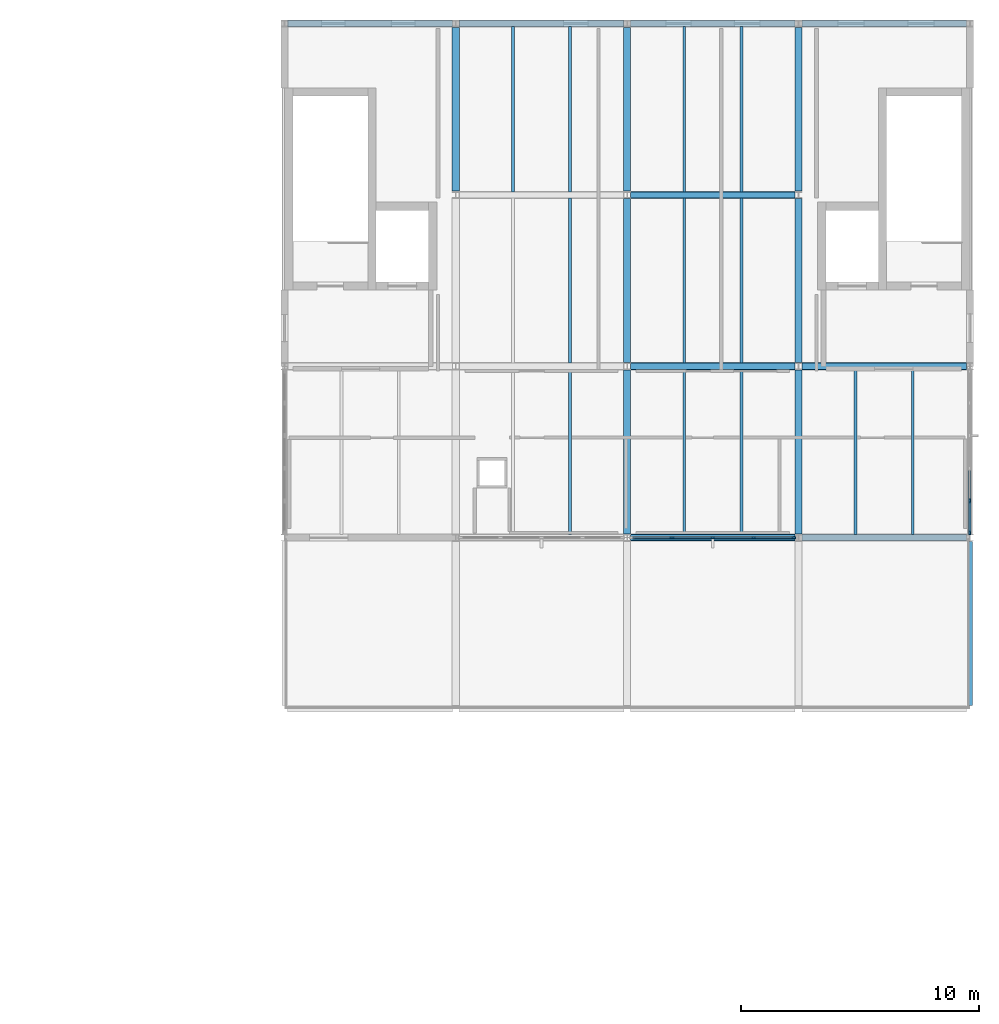
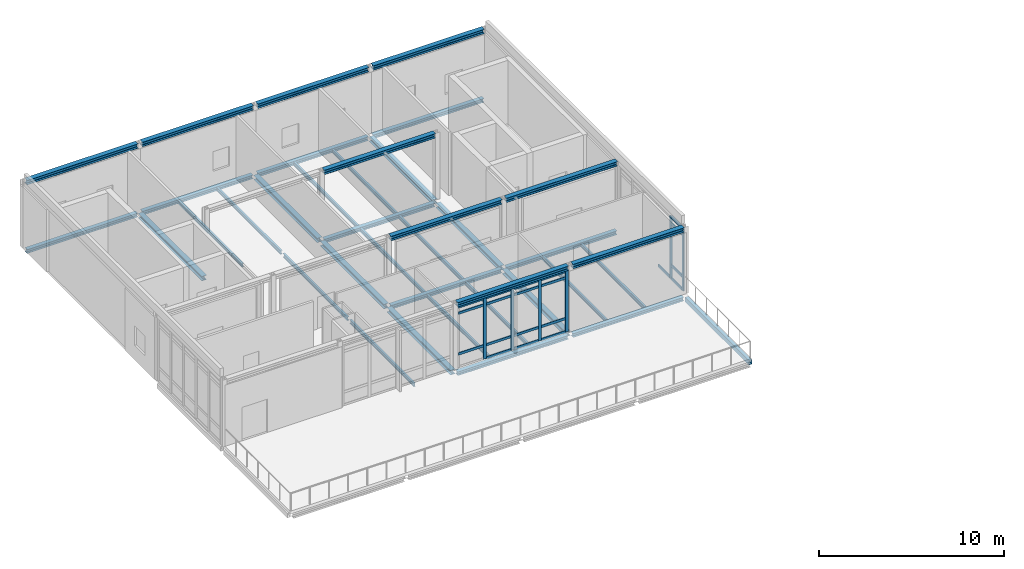
# One storey, part 9 of 21: 38 beams, 26 members, 2 elements without a shape of their own.
"""IFC4 building model written with IfcOpenShell, lengths in metres."""

import ifcopenshell
import ifcopenshell.guid

model = None  # the IFC model being written
_history = None  # IfcOwnerHistory: only IFC2X3 demands one
_inside = {}  # id of a spatial element -> (the spatial element, [elements in it])
_under = {}  # id of a project, library or spatial element -> (it, [spatial elements below it])
_declared = {}  # id of a project -> (the project, [libraries it declares])
_typed = {}  # id of a type object -> (the type object, [elements of that type])
_made_of = {}  # id of a material, layer set ... -> (it, [elements and type objects made of it])


def new_model(schema):
    """Start an empty IFC model of exactly this schema.

    Asked for "IFC4X3", IfcOpenShell would pick the latest addendum, in which some entities
    have other attributes; the version numbers below select the first issue.
    IFC2X3 requires an IfcOwnerHistory on every rooted entity: one is made here for all.
    """
    global model, _history
    if schema == "IFC4X3":
        model = ifcopenshell.file(schema_version=(4, 3, 0, 0))
    else:
        model = ifcopenshell.file(schema=schema)
    _inside.clear()
    _under.clear()
    _declared.clear()
    _typed.clear()
    _made_of.clear()
    _history = None
    if model.schema == "IFC2X3":
        org = make("IfcOrganization", Name="unknown")
        user = make(
            "IfcPersonAndOrganization",
            ThePerson=make("IfcPerson", FamilyName="unknown"),
            TheOrganization=org,
        )
        app = make(
            "IfcApplication",
            ApplicationDeveloper=org,
            Version="unknown",
            ApplicationFullName="unknown",
            ApplicationIdentifier="unknown",
        )
        _history = make(
            "IfcOwnerHistory",
            OwningUser=user,
            OwningApplication=app,
            ChangeAction="ADDED",
            CreationDate=0,
        )
    return model


def make(cls, **values):
    """One entity of the class cls with the attributes given. An attribute that is None is left unset."""
    return model.create_entity(
        cls, **{name: value for name, value in values.items() if value is not None}
    )


def rooted(cls, **values):
    """An entity with a GlobalId (a new one), such as an element, a storey or a relation."""
    return make(cls, GlobalId=ifcopenshell.guid.new(), OwnerHistory=_history, **values)


def si_unit(unit_type, name, prefix=None):
    """IfcSIUnit, for example si_unit("LENGTHUNIT", "METRE", prefix="MILLI")."""
    return make("IfcSIUnit", UnitType=unit_type, Prefix=prefix, Name=name)


def assignment(units):
    """IfcUnitAssignment: the units of a project."""
    return None if units is None else make("IfcUnitAssignment", Units=units)


def point(xyz):
    """IfcCartesianPoint."""
    return None if xyz is None else make("IfcCartesianPoint", Coordinates=xyz)


def direction(xyz):
    """IfcDirection."""
    return None if xyz is None else make("IfcDirection", DirectionRatios=xyz)


def frame(location, z_axis=None, x_axis=None):
    """IfcAxis2Placement3D, a coordinate frame: its origin and axes. An axis left out is left unset."""
    return make(
        "IfcAxis2Placement3D",
        Location=point(location),
        Axis=direction(z_axis),
        RefDirection=direction(x_axis),
    )


def frame_2d(location, x_axis=None):
    """IfcAxis2Placement2D, a coordinate frame in the plane: its origin and x axis."""
    return make(
        "IfcAxis2Placement2D", Location=point(location), RefDirection=direction(x_axis)
    )


def origin():
    """The frame at (0, 0, 0) with its axes left unset."""
    return frame((0.0, 0.0, 0.0))


def origin_2d():
    """The frame at (0, 0) in the plane with its x axis left unset."""
    return frame_2d((0.0, 0.0))


def place(relative_to, where):
    """IfcLocalPlacement: puts the frame where relative to a parent placement (None: the world)."""
    return make(
        "IfcLocalPlacement", PlacementRelTo=relative_to, RelativePlacement=where
    )


def context(
    kind, dimensions, precision=None, world=None, true_north=None, identifier=None
):
    """IfcGeometricRepresentationContext, for example the 3D "Model" context."""
    return make(
        "IfcGeometricRepresentationContext",
        ContextIdentifier=identifier,
        ContextType=kind,
        CoordinateSpaceDimension=dimensions,
        Precision=precision,
        WorldCoordinateSystem=world,
        TrueNorth=true_north,
    )


def subcontext(parent, identifier, kind, view, scale=None):
    """IfcGeometricRepresentationSubContext, for example "Body" below "Model"."""
    return make(
        "IfcGeometricRepresentationSubContext",
        ContextIdentifier=identifier,
        ContextType=kind,
        ParentContext=parent,
        TargetScale=scale,
        TargetView=view,
    )


def project(units=None, contexts=None):
    """IfcProject with its units and contexts."""
    return rooted(
        "IfcProject",
        Name="project",
        RepresentationContexts=contexts,
        UnitsInContext=assignment(units),
    )


def spatial(cls, under=None, at=None, **own):
    """A site, building, storey or space (cls), placed at a placement, below another one or the project."""
    s = rooted(cls, ObjectPlacement=at, **own)
    if under is not None:
        _under.setdefault(under.id(), (under, []))[1].append(s)
    return s


def profile(cls, at=None, kind="AREA", **sizes):
    """A parametric profile (cls). Its sizes go by their IFC names, for example OverallWidth=200.0."""
    return make(cls, ProfileType=kind, Position=at, **sizes)


def rectangle(**sizes):
    """IfcRectangleProfileDef."""
    return profile("IfcRectangleProfileDef", **sizes)


def hollow_rectangle(**sizes):
    """IfcRectangleHollowProfileDef."""
    return profile("IfcRectangleHollowProfileDef", **sizes)


def i_section(**sizes):
    """IfcIShapeProfileDef."""
    return profile("IfcIShapeProfileDef", **sizes)


def extrude(swept, where, along, depth):
    """IfcExtrudedAreaSolid: the profile swept, set in the frame where, extruded along a direction by depth."""
    return make(
        "IfcExtrudedAreaSolid",
        SweptArea=swept,
        Position=where,
        ExtrudedDirection=direction(along),
        Depth=depth,
    )


def shape(context_of_items, identifier, shape_type, items):
    """IfcShapeRepresentation: the items that make up one representation, for example the "Body"."""
    return make(
        "IfcShapeRepresentation",
        ContextOfItems=context_of_items,
        RepresentationIdentifier=identifier,
        RepresentationType=shape_type,
        Items=items,
    )


def material(Name=None, Category=None):
    """IfcMaterial."""
    return make("IfcMaterial", Name=Name, Category=Category)


def layer(
    of_material, thickness, ventilated=None, Name=None, Category=None, Priority=None
):
    """IfcMaterialLayer: one layer of a wall or slab, of a material (None: an air gap)."""
    return make(
        "IfcMaterialLayer",
        Material=of_material,
        LayerThickness=thickness,
        IsVentilated=ventilated,
        Name=Name,
        Category=Category,
        Priority=Priority,
    )


def layer_set(layers, Name=None):
    """IfcMaterialLayerSet."""
    return make("IfcMaterialLayerSet", MaterialLayers=layers, LayerSetName=Name)


def material_profile(
    of_material, cross_section, Name=None, Category=None, Priority=None
):
    """IfcMaterialProfile: a cross section and its material."""
    return make(
        "IfcMaterialProfile",
        Name=Name,
        Material=of_material,
        Profile=cross_section,
        Priority=Priority,
        Category=Category,
    )


def profile_set(profiles, Name=None, composite=None):
    """IfcMaterialProfileSet."""
    return make(
        "IfcMaterialProfileSet",
        Name=Name,
        MaterialProfiles=profiles,
        CompositeProfile=composite,
    )


def made_of(thing, what):
    """Note that an element or type object is made of a material, layer set ...; save() writes the relation."""
    if what is not None:
        _made_of.setdefault(what.id(), (what, []))[1].append(thing)
    return thing


def type_object(cls, material=None, **own):
    """A type object (cls), such as IfcWallType, which elements share."""
    return made_of(rooted(cls, **own), material)


def element(
    cls,
    number,
    at=None,
    inside=None,
    cuts=None,
    type_object=None,
    material=None,
    context=None,
    identifier="Body",
    shape_type=None,
    held_by="IfcProductDefinitionShape",
    body=None,
    shapes=None,
    **own,
):
    """One element of the class cls, such as IfcWall. Its Tag is "e" and its number.

    at: its placement. inside: the storey or other place that contains it. cuts: it is an
    opening in that element (IfcRelVoidsElement). A single representation is given by context,
    identifier, shape_type and body (its items); several are given by shapes. held_by: the class
    of the entity that holds the representations. save() writes the other relations.
    """
    e = rooted(cls, Tag="e%d" % number, ObjectPlacement=at, **own)
    if body is not None:
        shapes = [shape(context, identifier, shape_type, body)]
    if shapes is not None:
        e.Representation = make(held_by, Representations=shapes)
    if inside is not None:
        _inside.setdefault(inside.id(), (inside, []))[1].append(e)
    if cuts is not None:
        rooted(
            "IfcRelVoidsElement", RelatingBuildingElement=cuts, RelatedOpeningElement=e
        )
    if type_object is not None:
        _typed.setdefault(type_object.id(), (type_object, []))[1].append(e)
    return made_of(e, material)


def aggregate(whole, parts):
    """IfcRelAggregates: a whole, such as a stair, and the parts it consists of."""
    return rooted("IfcRelAggregates", RelatingObject=whole, RelatedObjects=parts)


def save(model, path):
    """Write the relations noted so far, then the file.

    IfcRelAggregates (storeys below a building ...), IfcRelContainedInSpatialStructure (elements
    in a storey), IfcRelDefinesByType, IfcRelAssociatesMaterial and IfcRelDeclares: one each for
    every whole, place, type object, material and project.
    """
    for whole, parts in _under.values():
        aggregate(whole, parts)
    for where, things in _inside.values():
        rooted(
            "IfcRelContainedInSpatialStructure",
            RelatedElements=things,
            RelatingStructure=where,
        )
    for kind, things in _typed.values():
        rooted("IfcRelDefinesByType", RelatedObjects=things, RelatingType=kind)
    for what, things in _made_of.values():
        rooted("IfcRelAssociatesMaterial", RelatedObjects=things, RelatingMaterial=what)
    for by, libraries in _declared.values():
        rooted("IfcRelDeclares", RelatingContext=by, RelatedDefinitions=libraries)
    model.write(path)


model = new_model("IFC4")

# Units and contexts
model_context = context("Model", 3, precision=1e-05, world=origin(), true_north=direction((0.0, 1.0)))
body_context = subcontext(model_context, "Body", "Model", "MODEL_VIEW")
ifc_project = project(units=[si_unit("LENGTHUNIT", "METRE"), si_unit("AREAUNIT", "SQUARE_METRE"), si_unit("VOLUMEUNIT", "CUBIC_METRE"), si_unit("PLANEANGLEUNIT", "RADIAN"), si_unit("MASSUNIT", "GRAM", prefix="KILO")], contexts=[model_context])

# Site, building, storey
site_placement = place(None, origin())
site = spatial("IfcSite", under=ifc_project, at=site_placement, CompositionType="ELEMENT")
building_placement = place(site_placement, origin())
building = spatial("IfcBuilding", under=site, at=building_placement, Name="Zarrinpeak Specialist Clinic", CompositionType="ELEMENT")
storey_placement = place(building_placement, frame((0.0, 0.0, 22.800048828125)))
storey = spatial("IfcBuildingStorey", under=building, at=storey_placement, Name="L05", CompositionType="ELEMENT", Elevation=22.800048828125)

# Beams
ifc_material_1 = material(Name="Steel S355", Category="steel")
ifc_material_profile_1 = material_profile(ifc_material_1, i_section(OverallWidth=0.260009765625, OverallDepth=0.25, WebThickness=0.007568359375, FlangeThickness=0.012451171875, FilletRadius=0.02392578125, at=origin_2d()), Name="HEA 260")
ifc_profile_set_1 = profile_set([ifc_material_profile_1], Name="Steel S355")
beam_type_1 = type_object("IfcBeamType", Name="BM-HEA260", PredefinedType="BEAM", material=ifc_profile_set_1)
beam_1_placement = place(storey_placement, frame((50.548095703125, 96.39990234375, -0.320068359375), z_axis=(1.0, 0.0, 0.0), x_axis=(0.0, 1.0, 0.0)))
element("IfcBeam", 1, at=beam_1_placement, inside=storey, type_object=beam_type_1, Name="L05 Primary Floor Girder BM-L05-X2071", PredefinedType="BEAM", context=body_context, shape_type="SweptSolid", body=[
    extrude(i_section(OverallWidth=0.260009765625, OverallDepth=0.25, WebThickness=0.007568359375, FlangeThickness=0.012451171875, FilletRadius=0.02392578125, at=origin_2d()), origin(), (0.0, 0.0, 1.0), 6.90380859375),
])
beam_2_placement = place(storey_placement, frame((57.748046875, 96.39990234375, -0.320068359375), z_axis=(1.0, 0.0, 0.0), x_axis=(0.0, 1.0, 0.0)))
element("IfcBeam", 2, at=beam_2_placement, inside=storey, type_object=beam_type_1, Name="L05 Primary Floor Girder BM-L05-X2072", PredefinedType="BEAM", context=body_context, shape_type="SweptSolid", body=[
    extrude(i_section(OverallWidth=0.260009765625, OverallDepth=0.25, WebThickness=0.007568359375, FlangeThickness=0.012451171875, FilletRadius=0.02392578125, at=origin_2d()), origin(), (0.0, 0.0, 1.0), 6.904052734375),
])
beam_3_placement = place(storey_placement, frame((50.548095703125, 103.60009765625, -0.31005859375), z_axis=(1.0, 0.0, 0.0), x_axis=(0.0, 1.0, 0.0)))
element("IfcBeam", 3, at=beam_3_placement, inside=storey, type_object=beam_type_1, Name="L05 Primary Floor Girder BM-L05-X2075", PredefinedType="BEAM", context=body_context, shape_type="SweptSolid", body=[
    extrude(i_section(OverallWidth=0.260009765625, OverallDepth=0.25, WebThickness=0.007568359375, FlangeThickness=0.012451171875, FilletRadius=0.02392578125, at=origin_2d()), origin(), (0.0, 0.0, 1.0), 6.90380859375),
])
beam_4_placement = place(storey_placement, frame((57.748046875, 103.60009765625, -0.31005859375), z_axis=(1.0, 0.0, 0.0), x_axis=(0.0, 1.0, 0.0)))
element("IfcBeam", 4, at=beam_4_placement, inside=storey, type_object=beam_type_1, Name="L05 Primary Floor Girder BM-L05-X2076", PredefinedType="BEAM", context=body_context, shape_type="SweptSolid", body=[
    extrude(i_section(OverallWidth=0.260009765625, OverallDepth=0.25, WebThickness=0.007568359375, FlangeThickness=0.012451171875, FilletRadius=0.02392578125, at=origin_2d()), origin(), (0.0, 0.0, 1.0), 6.904052734375),
])
beam_5_placement = place(storey_placement, frame((50.548095703125, 110.800048828125, -0.31005859375), z_axis=(1.0, 0.0, 0.0), x_axis=(0.0, 1.0, 0.0)))
element("IfcBeam", 5, at=beam_5_placement, inside=storey, type_object=beam_type_1, Name="L05 Primary Floor Girder BM-L05-X2078", PredefinedType="BEAM", context=body_context, shape_type="SweptSolid", body=[
    extrude(i_section(OverallWidth=0.260009765625, OverallDepth=0.25, WebThickness=0.007568359375, FlangeThickness=0.012451171875, FilletRadius=0.02392578125, at=origin_2d()), origin(), (0.0, 0.0, 1.0), 6.90380859375),
])
for number, where, z_axis, x_axis, name in (
    (6, (36.14794921875, 118.0, -0.31005859375), (1.0, 0.0, 0.0), (0.0, 1.0, 0.0), "L05 Primary Floor Girder BM-L05-X2079"),
    (7, (43.347900390625, 118.0, -0.31005859375), (1.0, 0.0, 0.0), (0.0, 1.0, 0.0), "L05 Primary Floor Girder BM-L05-X2080"),
):
    element("IfcBeam", number, at=place(storey_placement, frame(where, z_axis=z_axis, x_axis=x_axis)), inside=storey, type_object=beam_type_1, Name=name, PredefinedType="BEAM", context=body_context, shape_type="SweptSolid", body=[
        extrude(i_section(OverallWidth=0.260009765625, OverallDepth=0.25, WebThickness=0.007568359375, FlangeThickness=0.012451171875, FilletRadius=0.02392578125, at=origin_2d()), origin(), (0.0, 0.0, 1.0), 6.904052734375),
    ])
beam_6_placement = place(storey_placement, frame((50.548095703125, 118.0, -0.31005859375), z_axis=(1.0, 0.0, 0.0), x_axis=(0.0, 1.0, 0.0)))
element("IfcBeam", 8, at=beam_6_placement, inside=storey, type_object=beam_type_1, Name="L05 Primary Floor Girder BM-L05-X2081", PredefinedType="BEAM", context=body_context, shape_type="SweptSolid", body=[
    extrude(i_section(OverallWidth=0.260009765625, OverallDepth=0.25, WebThickness=0.007568359375, FlangeThickness=0.012451171875, FilletRadius=0.02392578125, at=origin_2d()), origin(), (0.0, 0.0, 1.0), 6.90380859375),
])
beam_7_placement = place(storey_placement, frame((57.748046875, 118.0, -0.31005859375), z_axis=(1.0, 0.0, 0.0), x_axis=(0.0, 1.0, 0.0)))
element("IfcBeam", 9, at=beam_7_placement, inside=storey, type_object=beam_type_1, Name="L05 Primary Floor Girder BM-L05-X2082", PredefinedType="BEAM", context=body_context, shape_type="SweptSolid", body=[
    extrude(i_section(OverallWidth=0.260009765625, OverallDepth=0.25, WebThickness=0.007568359375, FlangeThickness=0.012451171875, FilletRadius=0.02392578125, at=origin_2d()), origin(), (0.0, 0.0, 1.0), 6.904052734375),
])
ifc_material_profile_2 = material_profile(ifc_material_1, i_section(OverallWidth=0.300048828125, OverallDepth=0.2900390625, WebThickness=0.008544921875, FlangeThickness=0.013916015625, FilletRadius=0.027099609375, at=origin_2d()), Name="HEA 300")
ifc_profile_set_2 = profile_set([ifc_material_profile_2], Name="Steel S355")
beam_type_2 = type_object("IfcBeamType", Name="BM-HEA300", PredefinedType="BEAM", material=ifc_profile_set_2)
beam_8_placement = place(storey_placement, frame((43.199951171875, 110.9580078125, -0.330078125), z_axis=(0.0, 1.0, 0.0), x_axis=(-1.0, 0.0, 0.0)))
element("IfcBeam", 10, at=beam_8_placement, inside=storey, type_object=beam_type_2, Name="L05 Primary Beam BM-L05-Y2117", PredefinedType="BEAM", context=body_context, shape_type="SweptSolid", body=[
    extrude(i_section(OverallWidth=0.300048828125, OverallDepth=0.2900390625, WebThickness=0.008544921875, FlangeThickness=0.013916015625, FilletRadius=0.027099609375, at=origin_2d()), origin(), (0.0, 0.0, 1.0), 6.884033203125),
])
beam_9_placement = place(storey_placement, frame((50.39990234375, 96.55810546875, -0.330078125), z_axis=(0.0, 1.0, 0.0), x_axis=(-1.0, 0.0, 0.0)))
element("IfcBeam", 11, at=beam_9_placement, inside=storey, type_object=beam_type_2, Name="L05 Primary Beam BM-L05-Y2119", PredefinedType="BEAM", context=body_context, shape_type="SweptSolid", body=[
    extrude(i_section(OverallWidth=0.300048828125, OverallDepth=0.2900390625, WebThickness=0.008544921875, FlangeThickness=0.013916015625, FilletRadius=0.027099609375, at=origin_2d()), origin(), (0.0, 0.0, 1.0), 6.8837890625),
])
for number, where, z_axis, x_axis, name in (
    (12, (50.39990234375, 103.758056640625, -0.330078125), (0.0, 1.0, 0.0), (-1.0, 0.0, 0.0), "L05 Primary Beam BM-L05-Y2120"),
    (13, (50.39990234375, 110.9580078125, -0.330078125), (0.0, 1.0, 0.0), (-1.0, 0.0, 0.0), "L05 Primary Beam BM-L05-Y2121"),
):
    element("IfcBeam", number, at=place(storey_placement, frame(where, z_axis=z_axis, x_axis=x_axis)), inside=storey, type_object=beam_type_2, Name=name, PredefinedType="BEAM", context=body_context, shape_type="SweptSolid", body=[
        extrude(i_section(OverallWidth=0.300048828125, OverallDepth=0.2900390625, WebThickness=0.008544921875, FlangeThickness=0.013916015625, FilletRadius=0.027099609375, at=origin_2d()), origin(), (0.0, 0.0, 1.0), 6.884033203125),
    ])
beam_10_placement = place(storey_placement, frame((57.60009765625, 96.55810546875, -0.330078125), z_axis=(0.0, 1.0, 0.0), x_axis=(-1.0, 0.0, 0.0)))
element("IfcBeam", 14, at=beam_10_placement, inside=storey, type_object=beam_type_2, Name="L05 Primary Beam BM-L05-Y2123", PredefinedType="BEAM", context=body_context, shape_type="SweptSolid", body=[
    extrude(i_section(OverallWidth=0.300048828125, OverallDepth=0.2900390625, WebThickness=0.008544921875, FlangeThickness=0.013916015625, FilletRadius=0.027099609375, at=origin_2d()), origin(), (0.0, 0.0, 1.0), 6.8837890625),
])
for number, where, z_axis, x_axis, name in (
    (15, (57.60009765625, 103.758056640625, -0.330078125), (0.0, 1.0, 0.0), (-1.0, 0.0, 0.0), "L05 Primary Beam BM-L05-Y2124"),
    (16, (57.60009765625, 110.9580078125, -0.330078125), (0.0, 1.0, 0.0), (-1.0, 0.0, 0.0), "L05 Primary Beam BM-L05-Y2125"),
):
    element("IfcBeam", number, at=place(storey_placement, frame(where, z_axis=z_axis, x_axis=x_axis)), inside=storey, type_object=beam_type_2, Name=name, PredefinedType="BEAM", context=body_context, shape_type="SweptSolid", body=[
        extrude(i_section(OverallWidth=0.300048828125, OverallDepth=0.2900390625, WebThickness=0.008544921875, FlangeThickness=0.013916015625, FilletRadius=0.027099609375, at=origin_2d()), origin(), (0.0, 0.0, 1.0), 6.884033203125),
    ])
beam_11_placement = place(storey_placement, frame((50.5380859375, 96.39990234375, 4.25), z_axis=(1.0, 0.0, 0.0), x_axis=(0.0, 1.0, 0.0)))
element("IfcBeam", 17, at=beam_11_placement, inside=storey, type_object=beam_type_2, Name="L05 Gable Eave Tie Girder V6 BM-RF-EAVE-2487", PredefinedType="BEAM", context=body_context, shape_type="SweptSolid", body=[
    extrude(i_section(OverallWidth=0.300048828125, OverallDepth=0.2900390625, WebThickness=0.008544921875, FlangeThickness=0.013916015625, FilletRadius=0.027099609375, at=origin_2d()), origin(), (0.0, 0.0, 1.0), 6.923828125),
])
beam_12_placement = place(storey_placement, frame((57.738037109375, 96.39990234375, 4.25), z_axis=(1.0, 0.0, 0.0), x_axis=(0.0, 1.0, 0.0)))
element("IfcBeam", 18, at=beam_12_placement, inside=storey, type_object=beam_type_2, Name="L05 Gable Eave Tie Girder V6 BM-RF-EAVE-2488", PredefinedType="BEAM", context=body_context, shape_type="SweptSolid", body=[
    extrude(i_section(OverallWidth=0.300048828125, OverallDepth=0.2900390625, WebThickness=0.008544921875, FlangeThickness=0.013916015625, FilletRadius=0.027099609375, at=origin_2d()), origin(), (0.0, 0.0, 1.0), 6.924072265625),
])
beam_13_placement = place(storey_placement, frame((50.5380859375, 103.60009765625, 4.25), z_axis=(1.0, 0.0, 0.0), x_axis=(0.0, 1.0, 0.0)))
element("IfcBeam", 19, at=beam_13_placement, inside=storey, type_object=beam_type_2, Name="L05 Gable Eave Tie Girder V6 BM-RF-EAVE-2491", PredefinedType="BEAM", context=body_context, shape_type="SweptSolid", body=[
    extrude(i_section(OverallWidth=0.300048828125, OverallDepth=0.2900390625, WebThickness=0.008544921875, FlangeThickness=0.013916015625, FilletRadius=0.027099609375, at=origin_2d()), origin(), (0.0, 0.0, 1.0), 6.923828125),
])
beam_14_placement = place(storey_placement, frame((57.738037109375, 103.60009765625, 4.25), z_axis=(1.0, 0.0, 0.0), x_axis=(0.0, 1.0, 0.0)))
element("IfcBeam", 20, at=beam_14_placement, inside=storey, type_object=beam_type_2, Name="L05 Gable Eave Tie Girder V6 BM-RF-EAVE-2492", PredefinedType="BEAM", context=body_context, shape_type="SweptSolid", body=[
    extrude(i_section(OverallWidth=0.300048828125, OverallDepth=0.2900390625, WebThickness=0.008544921875, FlangeThickness=0.013916015625, FilletRadius=0.027099609375, at=origin_2d()), origin(), (0.0, 0.0, 1.0), 6.924072265625),
])
beam_15_placement = place(storey_placement, frame((50.5380859375, 110.800048828125, 4.25), z_axis=(1.0, 0.0, 0.0), x_axis=(0.0, 1.0, 0.0)))
element("IfcBeam", 21, at=beam_15_placement, inside=storey, type_object=beam_type_2, Name="L05 Gable Eave Tie Girder V6 BM-RF-EAVE-2494", PredefinedType="BEAM", context=body_context, shape_type="SweptSolid", body=[
    extrude(i_section(OverallWidth=0.300048828125, OverallDepth=0.2900390625, WebThickness=0.008544921875, FlangeThickness=0.013916015625, FilletRadius=0.027099609375, at=origin_2d()), origin(), (0.0, 0.0, 1.0), 6.923828125),
])
for number, where, z_axis, x_axis, name in (
    (22, (36.137939453125, 118.0, 4.25), (1.0, 0.0, 0.0), (0.0, 1.0, 0.0), "L05 Gable Eave Tie Girder V6 BM-RF-EAVE-2495"),
    (23, (43.337890625, 118.0, 4.25), (1.0, 0.0, 0.0), (0.0, 1.0, 0.0), "L05 Gable Eave Tie Girder V6 BM-RF-EAVE-2496"),
):
    element("IfcBeam", number, at=place(storey_placement, frame(where, z_axis=z_axis, x_axis=x_axis)), inside=storey, type_object=beam_type_2, Name=name, PredefinedType="BEAM", context=body_context, shape_type="SweptSolid", body=[
        extrude(i_section(OverallWidth=0.300048828125, OverallDepth=0.2900390625, WebThickness=0.008544921875, FlangeThickness=0.013916015625, FilletRadius=0.027099609375, at=origin_2d()), origin(), (0.0, 0.0, 1.0), 6.924072265625),
    ])
beam_16_placement = place(storey_placement, frame((50.5380859375, 118.0, 4.25), z_axis=(1.0, 0.0, 0.0), x_axis=(0.0, 1.0, 0.0)))
element("IfcBeam", 24, at=beam_16_placement, inside=storey, type_object=beam_type_2, Name="L05 Gable Eave Tie Girder V6 BM-RF-EAVE-2497", PredefinedType="BEAM", context=body_context, shape_type="SweptSolid", body=[
    extrude(i_section(OverallWidth=0.300048828125, OverallDepth=0.2900390625, WebThickness=0.008544921875, FlangeThickness=0.013916015625, FilletRadius=0.027099609375, at=origin_2d()), origin(), (0.0, 0.0, 1.0), 6.923828125),
])
beam_17_placement = place(storey_placement, frame((57.738037109375, 118.0, 4.25), z_axis=(1.0, 0.0, 0.0), x_axis=(0.0, 1.0, 0.0)))
element("IfcBeam", 25, at=beam_17_placement, inside=storey, type_object=beam_type_2, Name="L05 Gable Eave Tie Girder V6 BM-RF-EAVE-2498", PredefinedType="BEAM", context=body_context, shape_type="SweptSolid", body=[
    extrude(i_section(OverallWidth=0.300048828125, OverallDepth=0.2900390625, WebThickness=0.008544921875, FlangeThickness=0.013916015625, FilletRadius=0.027099609375, at=origin_2d()), origin(), (0.0, 0.0, 1.0), 6.924072265625),
])
ifc_material_profile_3 = material_profile(ifc_material_1, i_section(OverallWidth=0.1201171875, OverallDepth=0.239990234375, WebThickness=0.006103515625, FlangeThickness=0.009765625, FilletRadius=0.014892578125, at=origin_2d()), Name="IPE 240")
ifc_profile_set_3 = profile_set([ifc_material_profile_3], Name="Steel S355")
beam_type_3 = type_object("IfcBeamType", Name="BM-JST240", PredefinedType="JOIST", material=ifc_profile_set_3)
beam_18_placement = place(storey_placement, frame((48.0, 96.528076171875, -0.304931640625), z_axis=(0.0, 1.0, 0.0), x_axis=(-1.0, 0.0, 0.0)))
element("IfcBeam", 26, at=beam_18_placement, inside=storey, type_object=beam_type_3, Name="L05 Composite Floor Joist JST-L05-2167", PredefinedType="JOIST", context=body_context, shape_type="SweptSolid", body=[
    extrude(i_section(OverallWidth=0.1201171875, OverallDepth=0.239990234375, WebThickness=0.006103515625, FlangeThickness=0.009765625, FilletRadius=0.014892578125, at=origin_2d()), origin(), (0.0, 0.0, 1.0), 6.94384765625),
])
for number, where, z_axis, x_axis, name in (
    (27, (48.0, 103.72802734375, -0.304931640625), (0.0, 1.0, 0.0), (-1.0, 0.0, 0.0), "L05 Composite Floor Joist JST-L05-2169"),
    (28, (45.60009765625, 110.927978515625, -0.304931640625), (0.0, 1.0, 0.0), (-1.0, 0.0, 0.0), "L05 Composite Floor Joist JST-L05-2170"),
    (29, (48.0, 110.927978515625, -0.304931640625), (0.0, 1.0, 0.0), (-1.0, 0.0, 0.0), "L05 Composite Floor Joist JST-L05-2171"),
):
    element("IfcBeam", number, at=place(storey_placement, frame(where, z_axis=z_axis, x_axis=x_axis)), inside=storey, type_object=beam_type_3, Name=name, PredefinedType="JOIST", context=body_context, shape_type="SweptSolid", body=[
        extrude(i_section(OverallWidth=0.1201171875, OverallDepth=0.239990234375, WebThickness=0.006103515625, FlangeThickness=0.009765625, FilletRadius=0.014892578125, at=origin_2d()), origin(), (0.0, 0.0, 1.0), 6.944091796875),
    ])
for number, where, z_axis, x_axis, name in (
    (30, (52.800048828125, 96.528076171875, -0.304931640625), (0.0, 1.0, 0.0), (-1.0, 0.0, 0.0), "L05 Composite Floor Joist JST-L05-2172"),
    (31, (55.199951171875, 96.528076171875, -0.304931640625), (0.0, 1.0, 0.0), (-1.0, 0.0, 0.0), "L05 Composite Floor Joist JST-L05-2173"),
):
    element("IfcBeam", number, at=place(storey_placement, frame(where, z_axis=z_axis, x_axis=x_axis)), inside=storey, type_object=beam_type_3, Name=name, PredefinedType="JOIST", context=body_context, shape_type="SweptSolid", body=[
        extrude(i_section(OverallWidth=0.1201171875, OverallDepth=0.239990234375, WebThickness=0.006103515625, FlangeThickness=0.009765625, FilletRadius=0.014892578125, at=origin_2d()), origin(), (0.0, 0.0, 1.0), 6.94384765625),
    ])
for number, where, z_axis, x_axis, name in (
    (32, (52.800048828125, 103.72802734375, -0.304931640625), (0.0, 1.0, 0.0), (-1.0, 0.0, 0.0), "L05 Composite Floor Joist JST-L05-2174"),
    (33, (55.199951171875, 103.72802734375, -0.304931640625), (0.0, 1.0, 0.0), (-1.0, 0.0, 0.0), "L05 Composite Floor Joist JST-L05-2175"),
    (34, (52.800048828125, 110.927978515625, -0.304931640625), (0.0, 1.0, 0.0), (-1.0, 0.0, 0.0), "L05 Composite Floor Joist JST-L05-2176"),
    (35, (55.199951171875, 110.927978515625, -0.304931640625), (0.0, 1.0, 0.0), (-1.0, 0.0, 0.0), "L05 Composite Floor Joist JST-L05-2177"),
):
    element("IfcBeam", number, at=place(storey_placement, frame(where, z_axis=z_axis, x_axis=x_axis)), inside=storey, type_object=beam_type_3, Name=name, PredefinedType="JOIST", context=body_context, shape_type="SweptSolid", body=[
        extrude(i_section(OverallWidth=0.1201171875, OverallDepth=0.239990234375, WebThickness=0.006103515625, FlangeThickness=0.009765625, FilletRadius=0.014892578125, at=origin_2d()), origin(), (0.0, 0.0, 1.0), 6.944091796875),
    ])
for number, where, z_axis, x_axis, name in (
    (36, (60.0, 96.528076171875, -0.304931640625), (0.0, 1.0, 0.0), (-1.0, 0.0, 0.0), "L05 Composite Floor Joist JST-L05-2178"),
    (37, (62.39990234375, 96.528076171875, -0.304931640625), (0.0, 1.0, 0.0), (-1.0, 0.0, 0.0), "L05 Composite Floor Joist JST-L05-2179"),
):
    element("IfcBeam", number, at=place(storey_placement, frame(where, z_axis=z_axis, x_axis=x_axis)), inside=storey, type_object=beam_type_3, Name=name, PredefinedType="JOIST", context=body_context, shape_type="SweptSolid", body=[
        extrude(i_section(OverallWidth=0.1201171875, OverallDepth=0.239990234375, WebThickness=0.006103515625, FlangeThickness=0.009765625, FilletRadius=0.014892578125, at=origin_2d()), origin(), (0.0, 0.0, 1.0), 6.94384765625),
    ])
ifc_material_profile_4 = material_profile(ifc_material_1, hollow_rectangle(XDim=0.199951171875, YDim=0.300048828125, WallThickness=0.012451171875, at=origin_2d()), Name="RHS 300x200x12.5")
ifc_profile_set_4 = profile_set([ifc_material_profile_4], Name="Steel S355")
beam_type_4 = type_object("IfcBeamType", Name="BM-SP300", PredefinedType="SPANDREL", material=ifc_profile_set_4)
beam_19_placement = place(storey_placement, frame((64.800048828125, 89.337890625, -0.344970703125), z_axis=(0.0, 1.0, 0.0), x_axis=(-1.0, 0.0, 0.0)))
element("IfcBeam", 38, at=beam_19_placement, inside=storey, type_object=beam_type_4, Name="L05 Perimeter Spandrel Beam BM-L05-Y2126", PredefinedType="SPANDREL", context=body_context, shape_type="SweptSolid", body=[
    extrude(hollow_rectangle(XDim=0.199951171875, YDim=0.300048828125, WallThickness=0.012451171875, at=origin_2d()), origin(), (0.0, 0.0, 1.0), 6.904052734375),
])

# Curtain wall, members
ifc_material_2 = material(Name="Anodised Aluminium Alloy 6063-T6", Category="aluminium")
ifc_layer_1 = layer(ifc_material_2, 0.179931640625)
ifc_layer_set_1 = layer_set([ifc_layer_1], Name="Anodised Aluminium Alloy 6063-T6")
curtain_wall_type_1 = type_object("IfcCurtainWallType", Name="CW-COURT", PredefinedType="NOTDEFINED", material=ifc_layer_set_1)
curtain_wall_1_placement = place(storey_placement, origin())
curtain_wall_1 = element("IfcCurtainWall", 39, at=curtain_wall_1_placement, inside=storey, type_object=curtain_wall_type_1, Name="L05 V6 Unitised Curtain Wall CW-L05-V6-160", PredefinedType="NOTDEFINED")
ifc_material_profile_5 = material_profile(ifc_material_2, rectangle(XDim=0.074951171875, YDim=0.179931640625, at=origin_2d()), Name="ALU 75x180")
ifc_profile_set_5 = profile_set([ifc_material_profile_5], Name="Anodised Aluminium Alloy 6063-T6")
member_type_1 = type_object("IfcMemberType", Name="CWM-75", PredefinedType="MULLION", material=ifc_profile_set_5)
member_1_placement = place(storey_placement, frame((52.282470703125, 96.39990234375, 0.0), z_axis=(0.0, 0.0, 1.0), x_axis=(0.0, 1.0, 0.0)))
member_1 = element("IfcMember", 40, at=member_1_placement, type_object=member_type_1, Name="CW-01 mullion 2", PredefinedType="MULLION", context=body_context, shape_type="SweptSolid", body=[
    extrude(rectangle(XDim=0.074951171875, YDim=0.179931640625, at=origin_2d()), origin(), (0.0, 0.0, 1.0), 4.034912109375),
])
member_2_placement = place(storey_placement, frame((54.0, 96.39990234375, 0.0), z_axis=(0.0, 0.0, 1.0), x_axis=(0.0, 1.0, 0.0)))
member_2 = element("IfcMember", 41, at=member_2_placement, type_object=member_type_1, Name="CW-01 mullion 3", PredefinedType="MULLION", context=body_context, shape_type="SweptSolid", body=[
    extrude(rectangle(XDim=0.074951171875, YDim=0.179931640625, at=origin_2d()), origin(), (0.0, 0.0, 1.0), 4.034912109375),
])
member_3_placement = place(storey_placement, frame((55.717529296875, 96.39990234375, 0.0), z_axis=(0.0, 0.0, 1.0), x_axis=(0.0, 1.0, 0.0)))
member_3 = element("IfcMember", 42, at=member_3_placement, type_object=member_type_1, Name="CW-01 mullion 4", PredefinedType="MULLION", context=body_context, shape_type="SweptSolid", body=[
    extrude(rectangle(XDim=0.074951171875, YDim=0.179931640625, at=origin_2d()), origin(), (0.0, 0.0, 1.0), 4.034912109375),
])
member_4_placement = place(storey_placement, frame((57.3974609375, 96.39990234375, 0.0), z_axis=(0.0, 0.0, 1.0), x_axis=(0.0, 1.0, 0.0)))
member_4 = element("IfcMember", 43, at=member_4_placement, type_object=member_type_1, Name="CW-01 mullion 5", PredefinedType="MULLION", context=body_context, shape_type="SweptSolid", body=[
    extrude(rectangle(XDim=0.074951171875, YDim=0.179931640625, at=origin_2d()), origin(), (0.0, 0.0, 1.0), 4.034912109375),
])

ifc_layer_2 = layer(ifc_material_2, 0.1650390625)
ifc_layer_set_2 = layer_set([ifc_layer_2], Name="Anodised Aluminium Alloy 6063-T6")
curtain_wall_type_2 = type_object("IfcCurtainWallType", Name="CW-CLINIC", PredefinedType="NOTDEFINED", material=ifc_layer_set_2)
curtain_wall_2_placement = place(storey_placement, origin())
curtain_wall_2 = element("IfcCurtainWall", 44, at=curtain_wall_2_placement, inside=storey, type_object=curtain_wall_type_2, Name="L05 V6 Unitised Curtain Wall CW-L05-V6-162", PredefinedType="NOTDEFINED")
member_5_placement = place(storey_placement, frame((64.800048828125, 96.6025390625, 0.0), z_axis=(0.0, 0.0, 1.0), x_axis=(-1.0, 0.0, 0.0)))
member_5 = element("IfcMember", 45, at=member_5_placement, type_object=member_type_1, Name="CW-03 mullion 1", PredefinedType="MULLION", context=body_context, shape_type="SweptSolid", body=[
    extrude(rectangle(XDim=0.074951171875, YDim=0.179931640625, at=origin_2d()), origin(), (0.0, 0.0, 1.0), 4.10986328125),
])
member_6_placement = place(storey_placement, frame((64.800048828125, 97.93896484375, 0.0), z_axis=(0.0, 0.0, 1.0), x_axis=(-1.0, 0.0, 0.0)))
member_6 = element("IfcMember", 46, at=member_6_placement, type_object=member_type_1, Name="CW-03 mullion 2", PredefinedType="MULLION", context=body_context, shape_type="SweptSolid", body=[
    extrude(rectangle(XDim=0.074951171875, YDim=0.179931640625, at=origin_2d()), origin(), (0.0, 0.0, 1.0), 4.10986328125),
])

# Member
ifc_material_profile_6 = material_profile(ifc_material_2, rectangle(XDim=0.074951171875, YDim=0.159912109375, at=origin_2d()), Name="ALU 75x160")
ifc_profile_set_6 = profile_set([ifc_material_profile_6], Name="Anodised Aluminium Alloy 6063-T6")
member_type_2 = type_object("IfcMemberType", Name="CWT-75", PredefinedType="USERDEFINED", material=ifc_profile_set_6)
member_7_placement = place(storey_placement, frame((50.639892578125, 96.39990234375, 0.89990234375), z_axis=(1.0, 0.0, 0.0), x_axis=(0.0, 1.0, 0.0)))
member_7 = element("IfcMember", 47, at=member_7_placement, type_object=member_type_2, Name="CW-01 transom 1.2", ObjectType="TRANSOM", PredefinedType="USERDEFINED", context=body_context, shape_type="SweptSolid", body=[
    extrude(rectangle(XDim=0.074951171875, YDim=0.159912109375, at=origin_2d()), origin(), (0.0, 0.0, 1.0), 1.605224609375),
])

member_8_placement = place(storey_placement, frame((50.639892578125, 96.39990234375, 3.5849609375), z_axis=(1.0, 0.0, 0.0), x_axis=(0.0, 1.0, 0.0)))
member_8 = element("IfcMember", 48, at=member_8_placement, type_object=member_type_2, Name="CW-01 transom 1.3", ObjectType="TRANSOM", PredefinedType="USERDEFINED", context=body_context, shape_type="SweptSolid", body=[
    extrude(rectangle(XDim=0.074951171875, YDim=0.159912109375, at=origin_2d()), origin(), (0.0, 0.0, 1.0), 1.605224609375),
])

member_9_placement = place(storey_placement, frame((50.639892578125, 96.39990234375, 3.99755859375), z_axis=(1.0, 0.0, 0.0), x_axis=(0.0, 1.0, 0.0)))
member_9 = element("IfcMember", 49, at=member_9_placement, type_object=member_type_2, Name="CW-01 transom 1.4", ObjectType="TRANSOM", PredefinedType="USERDEFINED", context=body_context, shape_type="SweptSolid", body=[
    extrude(rectangle(XDim=0.074951171875, YDim=0.159912109375, at=origin_2d()), origin(), (0.0, 0.0, 1.0), 1.605224609375),
])

member_10_placement = place(storey_placement, frame((52.320068359375, 96.39990234375, 0.037353515625), z_axis=(1.0, 0.0, 0.0), x_axis=(0.0, 1.0, 0.0)))
member_10 = element("IfcMember", 50, at=member_10_placement, type_object=member_type_2, Name="CW-01 transom 2.1", ObjectType="TRANSOM", PredefinedType="USERDEFINED", context=body_context, shape_type="SweptSolid", body=[
    extrude(rectangle(XDim=0.074951171875, YDim=0.159912109375, at=origin_2d()), origin(), (0.0, 0.0, 1.0), 1.642333984375),
])

member_11_placement = place(storey_placement, frame((52.320068359375, 96.39990234375, 0.89990234375), z_axis=(1.0, 0.0, 0.0), x_axis=(0.0, 1.0, 0.0)))
member_11 = element("IfcMember", 51, at=member_11_placement, type_object=member_type_2, Name="CW-01 transom 2.2", ObjectType="TRANSOM", PredefinedType="USERDEFINED", context=body_context, shape_type="SweptSolid", body=[
    extrude(rectangle(XDim=0.074951171875, YDim=0.159912109375, at=origin_2d()), origin(), (0.0, 0.0, 1.0), 1.642333984375),
])

member_12_placement = place(storey_placement, frame((52.320068359375, 96.39990234375, 3.5849609375), z_axis=(1.0, 0.0, 0.0), x_axis=(0.0, 1.0, 0.0)))
member_12 = element("IfcMember", 52, at=member_12_placement, type_object=member_type_2, Name="CW-01 transom 2.3", ObjectType="TRANSOM", PredefinedType="USERDEFINED", context=body_context, shape_type="SweptSolid", body=[
    extrude(rectangle(XDim=0.074951171875, YDim=0.159912109375, at=origin_2d()), origin(), (0.0, 0.0, 1.0), 1.642333984375),
])

member_13_placement = place(storey_placement, frame((52.320068359375, 96.39990234375, 3.99755859375), z_axis=(1.0, 0.0, 0.0), x_axis=(0.0, 1.0, 0.0)))
member_13 = element("IfcMember", 53, at=member_13_placement, type_object=member_type_2, Name="CW-01 transom 2.4", ObjectType="TRANSOM", PredefinedType="USERDEFINED", context=body_context, shape_type="SweptSolid", body=[
    extrude(rectangle(XDim=0.074951171875, YDim=0.159912109375, at=origin_2d()), origin(), (0.0, 0.0, 1.0), 1.642333984375),
])

member_14_placement = place(storey_placement, frame((54.03759765625, 96.39990234375, 0.037353515625), z_axis=(1.0, 0.0, 0.0), x_axis=(0.0, 1.0, 0.0)))
member_14 = element("IfcMember", 54, at=member_14_placement, type_object=member_type_2, Name="CW-01 transom 3.1", ObjectType="TRANSOM", PredefinedType="USERDEFINED", context=body_context, shape_type="SweptSolid", body=[
    extrude(rectangle(XDim=0.074951171875, YDim=0.159912109375, at=origin_2d()), origin(), (0.0, 0.0, 1.0), 1.642333984375),
])

member_15_placement = place(storey_placement, frame((54.03759765625, 96.39990234375, 0.89990234375), z_axis=(1.0, 0.0, 0.0), x_axis=(0.0, 1.0, 0.0)))
member_15 = element("IfcMember", 55, at=member_15_placement, type_object=member_type_2, Name="CW-01 transom 3.2", ObjectType="TRANSOM", PredefinedType="USERDEFINED", context=body_context, shape_type="SweptSolid", body=[
    extrude(rectangle(XDim=0.074951171875, YDim=0.159912109375, at=origin_2d()), origin(), (0.0, 0.0, 1.0), 1.642333984375),
])

member_16_placement = place(storey_placement, frame((54.03759765625, 96.39990234375, 3.5849609375), z_axis=(1.0, 0.0, 0.0), x_axis=(0.0, 1.0, 0.0)))
member_16 = element("IfcMember", 56, at=member_16_placement, type_object=member_type_2, Name="CW-01 transom 3.3", ObjectType="TRANSOM", PredefinedType="USERDEFINED", context=body_context, shape_type="SweptSolid", body=[
    extrude(rectangle(XDim=0.074951171875, YDim=0.159912109375, at=origin_2d()), origin(), (0.0, 0.0, 1.0), 1.642333984375),
])

member_17_placement = place(storey_placement, frame((54.03759765625, 96.39990234375, 3.99755859375), z_axis=(1.0, 0.0, 0.0), x_axis=(0.0, 1.0, 0.0)))
member_17 = element("IfcMember", 57, at=member_17_placement, type_object=member_type_2, Name="CW-01 transom 3.4", ObjectType="TRANSOM", PredefinedType="USERDEFINED", context=body_context, shape_type="SweptSolid", body=[
    extrude(rectangle(XDim=0.074951171875, YDim=0.159912109375, at=origin_2d()), origin(), (0.0, 0.0, 1.0), 1.642333984375),
])

member_18_placement = place(storey_placement, frame((55.7548828125, 96.39990234375, 0.037353515625), z_axis=(1.0, 0.0, 0.0), x_axis=(0.0, 1.0, 0.0)))
member_18 = element("IfcMember", 58, at=member_18_placement, type_object=member_type_2, Name="CW-01 transom 4.1", ObjectType="TRANSOM", PredefinedType="USERDEFINED", context=body_context, shape_type="SweptSolid", body=[
    extrude(rectangle(XDim=0.074951171875, YDim=0.159912109375, at=origin_2d()), origin(), (0.0, 0.0, 1.0), 1.605224609375),
])

member_19_placement = place(storey_placement, frame((55.7548828125, 96.39990234375, 0.89990234375), z_axis=(1.0, 0.0, 0.0), x_axis=(0.0, 1.0, 0.0)))
member_19 = element("IfcMember", 59, at=member_19_placement, type_object=member_type_2, Name="CW-01 transom 4.2", ObjectType="TRANSOM", PredefinedType="USERDEFINED", context=body_context, shape_type="SweptSolid", body=[
    extrude(rectangle(XDim=0.074951171875, YDim=0.159912109375, at=origin_2d()), origin(), (0.0, 0.0, 1.0), 1.605224609375),
])

member_20_placement = place(storey_placement, frame((55.7548828125, 96.39990234375, 3.5849609375), z_axis=(1.0, 0.0, 0.0), x_axis=(0.0, 1.0, 0.0)))
member_20 = element("IfcMember", 60, at=member_20_placement, type_object=member_type_2, Name="CW-01 transom 4.3", ObjectType="TRANSOM", PredefinedType="USERDEFINED", context=body_context, shape_type="SweptSolid", body=[
    extrude(rectangle(XDim=0.074951171875, YDim=0.159912109375, at=origin_2d()), origin(), (0.0, 0.0, 1.0), 1.605224609375),
])

member_21_placement = place(storey_placement, frame((55.7548828125, 96.39990234375, 3.99755859375), z_axis=(1.0, 0.0, 0.0), x_axis=(0.0, 1.0, 0.0)))
member_21 = element("IfcMember", 61, at=member_21_placement, type_object=member_type_2, Name="CW-01 transom 4.4", ObjectType="TRANSOM", PredefinedType="USERDEFINED", context=body_context, shape_type="SweptSolid", body=[
    extrude(rectangle(XDim=0.074951171875, YDim=0.159912109375, at=origin_2d()), origin(), (0.0, 0.0, 1.0), 1.605224609375),
])

aggregate(curtain_wall_1, [member_1, member_2, member_3, member_4, member_7, member_8, member_9, member_10, member_11, member_12, member_13, member_14, member_15, member_16, member_17, member_18, member_19, member_20, member_21])

member_22_placement = place(storey_placement, frame((64.800048828125, 96.639892578125, 0.037353515625), z_axis=(0.0, 1.0, 0.0), x_axis=(-1.0, 0.0, 0.0)))
member_22 = element("IfcMember", 62, at=member_22_placement, type_object=member_type_2, Name="CW-03 transom 1.1", ObjectType="TRANSOM", PredefinedType="USERDEFINED", context=body_context, shape_type="SweptSolid", body=[
    extrude(rectangle(XDim=0.074951171875, YDim=0.159912109375, at=origin_2d()), origin(), (0.0, 0.0, 1.0), 1.26171875),
])

member_23_placement = place(storey_placement, frame((64.800048828125, 96.639892578125, 0.89990234375), z_axis=(0.0, 1.0, 0.0), x_axis=(-1.0, 0.0, 0.0)))
member_23 = element("IfcMember", 63, at=member_23_placement, type_object=member_type_2, Name="CW-03 transom 1.2", ObjectType="TRANSOM", PredefinedType="USERDEFINED", context=body_context, shape_type="SweptSolid", body=[
    extrude(rectangle(XDim=0.074951171875, YDim=0.159912109375, at=origin_2d()), origin(), (0.0, 0.0, 1.0), 1.26171875),
])

member_24_placement = place(storey_placement, frame((64.800048828125, 96.639892578125, 3.659912109375), z_axis=(0.0, 1.0, 0.0), x_axis=(-1.0, 0.0, 0.0)))
member_24 = element("IfcMember", 64, at=member_24_placement, type_object=member_type_2, Name="CW-03 transom 1.3", ObjectType="TRANSOM", PredefinedType="USERDEFINED", context=body_context, shape_type="SweptSolid", body=[
    extrude(rectangle(XDim=0.074951171875, YDim=0.159912109375, at=origin_2d()), origin(), (0.0, 0.0, 1.0), 1.26171875),
])

member_25_placement = place(storey_placement, frame((64.800048828125, 96.639892578125, 4.072509765625), z_axis=(0.0, 1.0, 0.0), x_axis=(-1.0, 0.0, 0.0)))
member_25 = element("IfcMember", 65, at=member_25_placement, type_object=member_type_2, Name="CW-03 transom 1.4", ObjectType="TRANSOM", PredefinedType="USERDEFINED", context=body_context, shape_type="SweptSolid", body=[
    extrude(rectangle(XDim=0.074951171875, YDim=0.159912109375, at=origin_2d()), origin(), (0.0, 0.0, 1.0), 1.26171875),
])

member_26_placement = place(storey_placement, frame((64.800048828125, 97.9765625, 0.037353515625), z_axis=(0.0, 1.0, 0.0), x_axis=(-1.0, 0.0, 0.0)))
member_26 = element("IfcMember", 66, at=member_26_placement, type_object=member_type_2, Name="CW-03 transom 2.1", ObjectType="TRANSOM", PredefinedType="USERDEFINED", context=body_context, shape_type="SweptSolid", body=[
    extrude(rectangle(XDim=0.074951171875, YDim=0.159912109375, at=origin_2d()), origin(), (0.0, 0.0, 1.0), 1.298828125),
])

aggregate(curtain_wall_2, [member_5, member_6, member_22, member_23, member_24, member_25, member_26])

save(model, "model.ifc")
